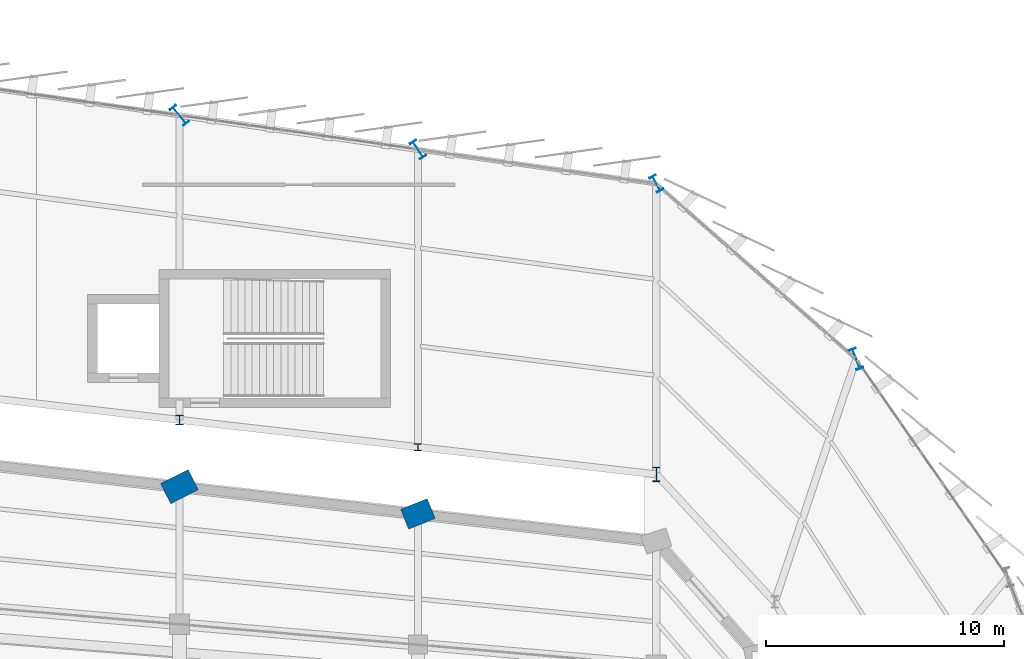
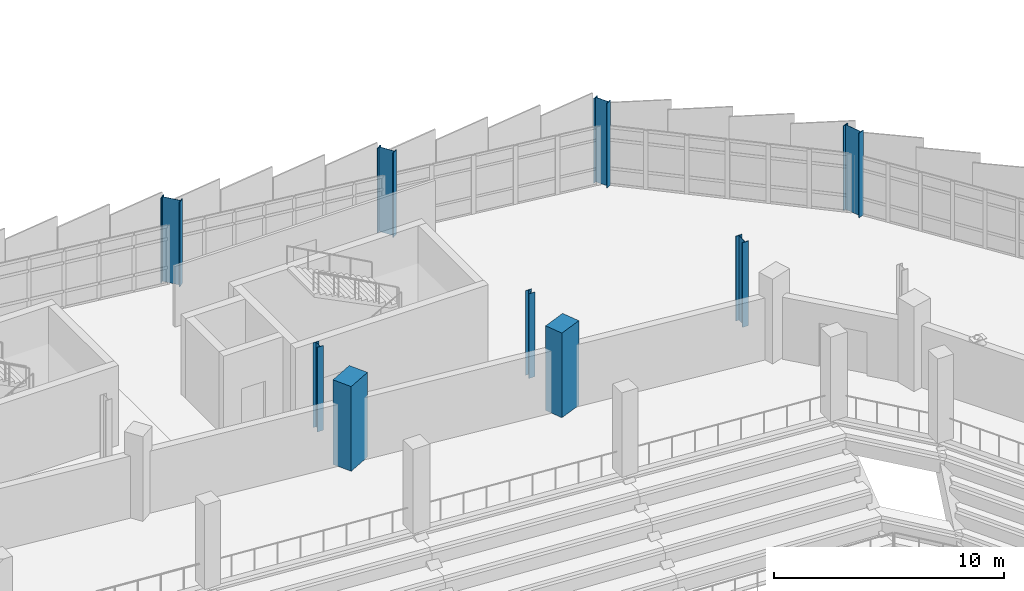
# One storey, part 22 of 134: 9 columns.
"""IFC4 building model written with IfcOpenShell, lengths in metres."""

from ifc_helpers import new_model, si_unit, direction, frame, origin, origin_2d, place, context, subcontext, project, spatial, rectangle, i_section, extrude, material, material_profile, profile_set, type_object, element, save


model = new_model("IFC4")

# Units and contexts
model_context = context("Model", 3, precision=1e-05, world=origin(), true_north=direction((0.0, 1.0)))
body_context = subcontext(model_context, "Body", "Model", "MODEL_VIEW")
ifc_project = project(units=[si_unit("LENGTHUNIT", "METRE"), si_unit("AREAUNIT", "SQUARE_METRE"), si_unit("VOLUMEUNIT", "CUBIC_METRE"), si_unit("PLANEANGLEUNIT", "RADIAN"), si_unit("MASSUNIT", "GRAM", prefix="KILO")], contexts=[model_context])

# Site, building, storey
site_placement = place(None, origin())
site = spatial("IfcSite", under=ifc_project, at=site_placement, CompositionType="ELEMENT")
building_placement = place(site_placement, origin())
building = spatial("IfcBuilding", under=site, at=building_placement, Name="Sohan Crest Arena", CompositionType="ELEMENT")
storey_placement = place(building_placement, frame((0.0, 0.0, 4.5)))
storey = spatial("IfcBuildingStorey", under=building, at=storey_placement, Name="L01", CompositionType="ELEMENT", Elevation=4.5)

# Columns
ifc_material_1 = material(Name="Concrete C40/50", Category="concrete")
ifc_material_profile_1 = material_profile(ifc_material_1, rectangle(XDim=1.199951171875, YDim=0.89990234375, at=origin_2d()), Name="RC 1200x900")
ifc_profile_set_1 = profile_set([ifc_material_profile_1], Name="Concrete C40/50")
column_type_1 = type_object("IfcColumnType", Name="STR-COL-C11", PredefinedType="COLUMN", material=ifc_profile_set_1)
column_1_placement = place(storey_placement, frame((158.0, 102.14306640625, 0.0), z_axis=(0.0, 0.0, 1.0), x_axis=(0.927836253899, 0.372987782576, 0.0)))
element("IfcColumn", 1, at=column_1_placement, inside=storey, type_object=column_type_1, Name="Structural column COL-V1R-29-L01", PredefinedType="COLUMN", context=body_context, shape_type="SweptSolid", body=[
    extrude(rectangle(XDim=1.199951171875, YDim=0.89990234375, at=origin_2d()), origin(), (0.0, 0.0, 1.0), 4.5),
])
ifc_material_profile_2 = material_profile(ifc_material_1, rectangle(XDim=1.300048828125, YDim=0.949951171875, at=origin_2d()), Name="RC 1300x950")
ifc_profile_set_2 = profile_set([ifc_material_profile_2], Name="Concrete C40/50")
column_type_2 = type_object("IfcColumnType", Name="STR-COL-C12", PredefinedType="COLUMN", material=ifc_profile_set_2)
column_2_placement = place(storey_placement, frame((148.0, 103.285888671875, 0.0), z_axis=(0.0, 0.0, 1.0), x_axis=(0.892585818452, 0.450877540689, 0.0)))
element("IfcColumn", 2, at=column_2_placement, inside=storey, type_object=column_type_2, Name="Structural column COL-V1R-30-L01", PredefinedType="COLUMN", context=body_context, shape_type="SweptSolid", body=[
    extrude(rectangle(XDim=1.300048828125, YDim=0.949951171875, at=origin_2d()), origin(), (0.0, 0.0, 1.0), 4.5),
])
ifc_material_2 = material(Name="Steel S355", Category="steel")
ifc_material_profile_3 = material_profile(ifc_material_2, i_section(OverallWidth=0.300048828125, OverallDepth=0.300048828125, WebThickness=0.010986328125, FlangeThickness=0.01904296875, at=origin_2d()), Name="HEB 300")
ifc_profile_set_3 = profile_set([ifc_material_profile_3], Name="Steel S355")
column_type_3 = type_object("IfcColumnType", Name="STR-COL-C17", PredefinedType="COLUMN", material=ifc_profile_set_3)
column_3_placement = place(storey_placement, frame((158.0, 104.943115234375, 0.0), z_axis=(0.0, 0.0, 1.0), x_axis=(1.0, 0.0, 0.0)))
element("IfcColumn", 3, at=column_3_placement, inside=storey, type_object=column_type_3, Name="Structural column COL-V2I-29-L01", PredefinedType="COLUMN", context=body_context, shape_type="SweptSolid", body=[
    extrude(i_section(OverallWidth=0.300048828125, OverallDepth=0.300048828125, WebThickness=0.010986328125, FlangeThickness=0.01904296875, at=origin_2d()), origin(), (0.0, 0.0, 1.0), 4.5),
])
ifc_material_profile_4 = material_profile(ifc_material_2, i_section(OverallWidth=0.300048828125, OverallDepth=0.39990234375, WebThickness=0.013427734375, FlangeThickness=0.02392578125, at=origin_2d()), Name="HEB 400")
ifc_profile_set_4 = profile_set([ifc_material_profile_4], Name="Steel S355")
column_type_4 = type_object("IfcColumnType", Name="STR-COL-C18", PredefinedType="COLUMN", material=ifc_profile_set_4)
column_4_placement = place(storey_placement, frame((148.0, 106.0859375, 0.0), z_axis=(0.0, 0.0, 1.0), x_axis=(1.0, 0.0, 0.0)))
element("IfcColumn", 4, at=column_4_placement, inside=storey, type_object=column_type_4, Name="Structural column COL-V2I-30-L01", PredefinedType="COLUMN", context=body_context, shape_type="SweptSolid", body=[
    extrude(i_section(OverallWidth=0.300048828125, OverallDepth=0.39990234375, WebThickness=0.013427734375, FlangeThickness=0.02392578125, at=origin_2d()), origin(), (0.0, 0.0, 1.0), 4.5),
])
ifc_material_profile_5 = material_profile(ifc_material_2, i_section(OverallWidth=0.300048828125, OverallDepth=0.60009765625, WebThickness=0.015380859375, FlangeThickness=0.030029296875, at=origin_2d()), Name="HEB 600")
ifc_profile_set_5 = profile_set([ifc_material_profile_5], Name="Steel S355")
column_type_5 = type_object("IfcColumnType", Name="STR-COL-C20", PredefinedType="COLUMN", material=ifc_profile_set_5)
column_5_placement = place(storey_placement, frame((168.0, 103.800048828125, 0.0), z_axis=(0.0, 0.0, 1.0), x_axis=(1.0, 0.0, 0.0)))
element("IfcColumn", 5, at=column_5_placement, inside=storey, type_object=column_type_5, Name="Structural column COL-V2I-28-L01", PredefinedType="COLUMN", context=body_context, shape_type="SweptSolid", body=[
    extrude(i_section(OverallWidth=0.300048828125, OverallDepth=0.60009765625, WebThickness=0.015380859375, FlangeThickness=0.030029296875, at=origin_2d()), origin(), (0.0, 0.0, 1.0), 4.5),
])
ifc_material_profile_6 = material_profile(ifc_material_2, i_section(OverallWidth=0.300048828125, OverallDepth=0.699951171875, WebThickness=0.01708984375, FlangeThickness=0.031982421875, at=origin_2d()), Name="HEB 700")
ifc_profile_set_6 = profile_set([ifc_material_profile_6], Name="Steel S355")
column_type_6 = type_object("IfcColumnType", Name="STR-COL-C21", PredefinedType="COLUMN", material=ifc_profile_set_6)
column_6_placement = place(storey_placement, frame((168.0, 116.0, 0.0), z_axis=(0.0, 0.0, 1.0), x_axis=(0.878817112662, 0.47715876026, 0.0)))
element("IfcColumn", 6, at=column_6_placement, inside=storey, type_object=column_type_6, Name="Structural column COL-V2O-28-L01", PredefinedType="COLUMN", context=body_context, shape_type="SweptSolid", body=[
    extrude(i_section(OverallWidth=0.300048828125, OverallDepth=0.699951171875, WebThickness=0.01708984375, FlangeThickness=0.031982421875, at=origin_2d()), origin(), (0.0, 0.0, 1.0), 4.5),
])
ifc_material_profile_7 = material_profile(ifc_material_2, i_section(OverallWidth=0.300048828125, OverallDepth=0.800048828125, WebThickness=0.017578125, FlangeThickness=0.032958984375, at=origin_2d()), Name="HEB 800")
ifc_profile_set_7 = profile_set([ifc_material_profile_7], Name="Steel S355")
column_type_7 = type_object("IfcColumnType", Name="STR-COL-C22", PredefinedType="COLUMN", material=ifc_profile_set_7)
column_7_placement = place(storey_placement, frame((158.0, 117.428955078125, 0.0), z_axis=(0.0, 0.0, 1.0), x_axis=(0.835807361368, 0.549022817998, 0.0)))
element("IfcColumn", 7, at=column_7_placement, inside=storey, type_object=column_type_7, Name="Structural column COL-V2O-29-L01", PredefinedType="COLUMN", context=body_context, shape_type="SweptSolid", body=[
    extrude(i_section(OverallWidth=0.300048828125, OverallDepth=0.800048828125, WebThickness=0.017578125, FlangeThickness=0.032958984375, at=origin_2d()), origin(), (0.0, 0.0, 1.0), 4.5),
])
ifc_material_profile_8 = material_profile(ifc_material_2, i_section(OverallWidth=0.300048828125, OverallDepth=0.89990234375, WebThickness=0.0185546875, FlangeThickness=0.034912109375, at=origin_2d()), Name="HEB 900")
ifc_profile_set_8 = profile_set([ifc_material_profile_8], Name="Steel S355")
column_type_8 = type_object("IfcColumnType", Name="STR-COL-C23", PredefinedType="COLUMN", material=ifc_profile_set_8)
for number, where, z_axis, x_axis, name in (
    (8, (176.383056640625, 108.64501953125, 0.0), (0.0, 0.0, 1.0), (0.931055815863, 0.364876784338, 0.0), "Structural column COL-V2O-27-L01"),
    (9, (148.0, 118.85693359375, 0.0), (0.0, 0.0, 1.0), (0.773840209727, 0.633380872628, 0.0), "Structural column COL-V2O-30-L01"),
):
    element("IfcColumn", number, at=place(storey_placement, frame(where, z_axis=z_axis, x_axis=x_axis)), inside=storey, type_object=column_type_8, Name=name, PredefinedType="COLUMN", context=body_context, shape_type="SweptSolid", body=[
        extrude(i_section(OverallWidth=0.300048828125, OverallDepth=0.89990234375, WebThickness=0.0185546875, FlangeThickness=0.034912109375, at=origin_2d()), origin(), (0.0, 0.0, 1.0), 4.5),
    ])

save(model, "model.ifc")
